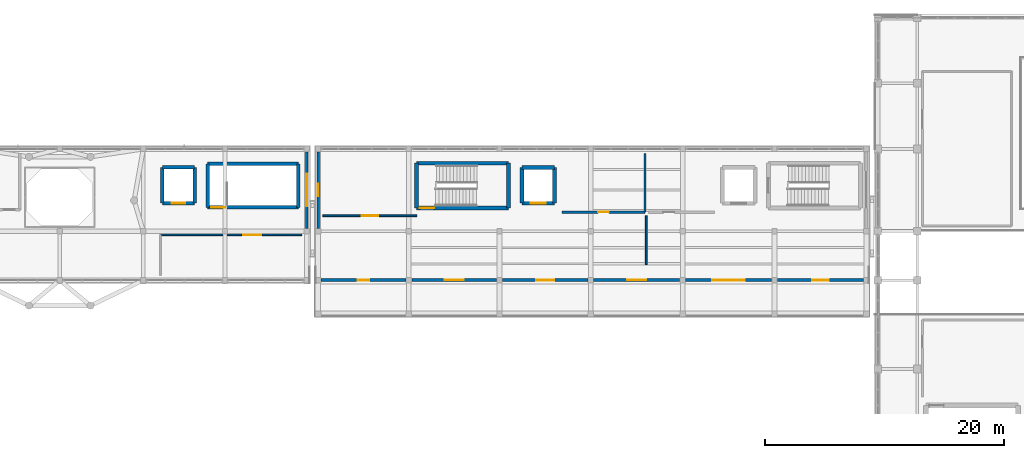
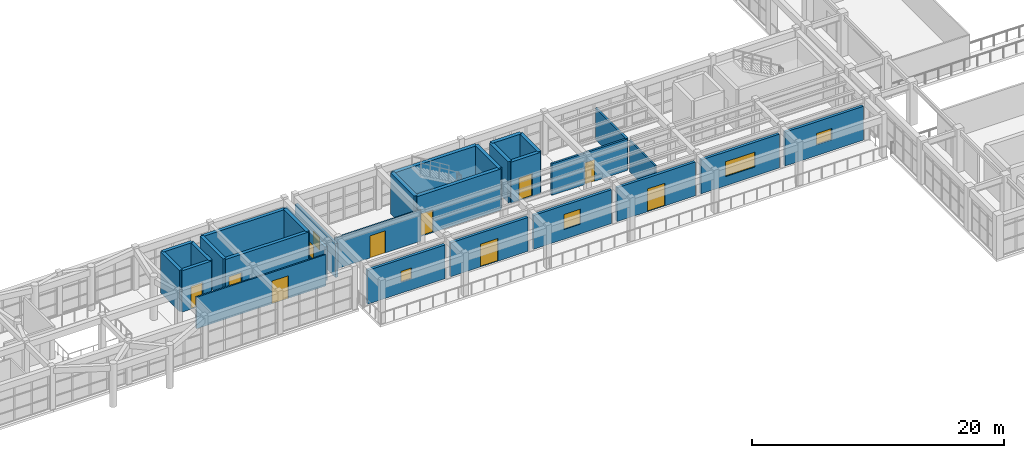
# One storey, part 54 of 66: 29 walls, 9 doors, 6 windows, 15 openings.
"""IFC4 building model written with IfcOpenShell, lengths in metres."""

from ifc_helpers import new_model, si_unit, direction, frame, frame_2d, origin, place, context, subcontext, project, spatial, rectangle, extrude, material, layer, layer_set, type_object, element, fill, save


model = new_model("IFC4")

# Units and contexts
model_context = context("Model", 3, precision=1e-05, world=origin(), true_north=direction((0.0, 1.0)))
body_context = subcontext(model_context, "Body", "Model", "MODEL_VIEW")
ifc_project = project(units=[si_unit("LENGTHUNIT", "METRE"), si_unit("AREAUNIT", "SQUARE_METRE"), si_unit("VOLUMEUNIT", "CUBIC_METRE"), si_unit("PLANEANGLEUNIT", "RADIAN"), si_unit("MASSUNIT", "GRAM", prefix="KILO")], contexts=[model_context])

# Site, building, storey
site_placement = place(None, origin())
site = spatial("IfcSite", under=ifc_project, at=site_placement, CompositionType="ELEMENT")
building_placement = place(site_placement, origin())
building = spatial("IfcBuilding", under=site, at=building_placement, Name="Candilejo Ridge Gondola Terminal", CompositionType="ELEMENT")
storey_placement = place(building_placement, frame((0.0, 0.0, 14.39990234375)))
storey = spatial("IfcBuildingStorey", under=building, at=storey_placement, Name="L03", CompositionType="ELEMENT", Elevation=14.39990234375)

# Wall, opening, window
ifc_material_1 = material(Name="Concrete C20/25 masonry blockwork (f'm 14 MPa)", Category="masonry")
ifc_layer_1 = layer(ifc_material_1, 0.219970703125)
ifc_layer_set_1 = layer_set([ifc_layer_1], Name="ARC-EXT-WALL-220")
wall_type_1 = type_object("IfcWallType", Name="ARC-EXT-WALL-220", PredefinedType="STANDARD", material=ifc_layer_set_1)
wall_1_placement = place(storey_placement, frame((87.0, 30.050048828125, 0.0), z_axis=(0.0, 0.0, 1.0), x_axis=(0.0, 1.0, 0.0)))
wall_1 = element("IfcWall", 1, at=wall_1_placement, inside=storey, type_object=wall_type_1, Name="Exterior facade wall EW-V3-L03-083", PredefinedType="STANDARD", context=body_context, shape_type="SweptSolid", body=[
    extrude(rectangle(XDim=6.39990234375, YDim=0.219970703125, at=frame_2d((3.199951171875, 0.0))), origin(), (0.0, 0.0, 1.0), 3.280029296875),
])
opening_1_placement = place(wall_1_placement, frame((2.675048828125, 0.0, 1.02001953125)))
opening_1 = element("IfcOpeningElement", 2, at=opening_1_placement, cuts=wall_1, Name="Opening WN-04C", PredefinedType="OPENING", context=body_context, shape_type="SweptSolid", body=[
    extrude(rectangle(XDim=1.050048828125, YDim=1.199951171875, at=frame_2d((0.52490234375, 0.60009765625))), frame((0.0, 0.119873046875, 0.0), z_axis=(0.0, -1.0, 0.0), x_axis=(1.0, 0.0, 0.0)), (0.0, 0.0, 1.0), 0.239990234375),
])
ifc_material_2 = material(Name="Low-E laminated double glazing 6+12A+6+1.52PVB+6 mm", Category="glass")
window_type_1 = type_object("IfcWindowType", Name="ARC-WIN-1050X1200", PartitioningType="SINGLE_PANEL", PredefinedType="WINDOW", material=ifc_material_2)
window_1_placement = place(opening_1_placement, origin())
window_1 = element("IfcWindow", 3, at=window_1_placement, inside=storey, type_object=window_type_1, Name="Window WIN-039", OverallHeight=1.199951171875, OverallWidth=1.050048828125, PartitioningType="SINGLE_PANEL", PredefinedType="WINDOW", context=body_context, shape_type="SweptSolid", body=[
    extrude(rectangle(XDim=1.050048828125, YDim=1.199951171875, at=frame_2d((0.52490234375, 0.60009765625))), frame((0.0, 0.030029296875, 0.0), z_axis=(0.0, -1.0, 0.0), x_axis=(1.0, 0.0, 0.0)), (0.0, 0.0, 1.0), 0.06005859375),
])
fill(opening_1, window_1)

ifc_material_3 = material(Name="Concrete C20/25 masonry blockwork (f'm 14 MPa)", Category="masonry")
ifc_layer_2 = layer(ifc_material_3, 0.235107421875)
ifc_layer_set_2 = layer_set([ifc_layer_2], Name="ARC-EXT-WALL-235")
wall_type_2 = type_object("IfcWallType", Name="ARC-EXT-WALL-235", PredefinedType="STANDARD", material=ifc_layer_set_2)
wall_2_placement = place(storey_placement, frame((86.050048828125, 36.449951171875, 0.0), z_axis=(0.0, 0.0, 1.0), x_axis=(0.0, -1.0, 0.0)))
wall_2 = element("IfcWall", 4, at=wall_2_placement, inside=storey, type_object=wall_type_2, Name="Exterior facade wall EW-V2-L03-049", PredefinedType="STANDARD", context=body_context, shape_type="SweptSolid", body=[
    extrude(rectangle(XDim=6.39990234375, YDim=0.235107421875, at=frame_2d((3.199951171875, 0.0))), origin(), (0.0, 0.0, 1.0), 3.280029296875),
])
opening_2_placement = place(wall_2_placement, frame((1.85009765625, 0.0, 0.8798828125)))
opening_2 = element("IfcOpeningElement", 5, at=opening_2_placement, cuts=wall_2, Name="Opening WN-05B", PredefinedType="OPENING", context=body_context, shape_type="SweptSolid", body=[
    extrude(rectangle(XDim=2.699951171875, YDim=1.449951171875, at=frame_2d((1.35009765625, 0.72509765625))), frame((0.0, 0.12744140625, 0.0), z_axis=(0.0, -1.0, 0.0), x_axis=(1.0, 0.0, 0.0)), (0.0, 0.0, 1.0), 0.255126953125),
])
ifc_material_4 = material(Name="Low-E laminated double glazing 6+12A+6+1.52PVB+6 mm", Category="glass")
window_type_2 = type_object("IfcWindowType", Name="ARC-WIN-2700X1550", PartitioningType="SINGLE_PANEL", PredefinedType="WINDOW", material=ifc_material_4)
window_2_placement = place(opening_2_placement, origin())
window_2 = element("IfcWindow", 6, at=window_2_placement, inside=storey, type_object=window_type_2, Name="Window WIN-022", OverallHeight=1.449951171875, OverallWidth=2.699951171875, PartitioningType="SINGLE_PANEL", PredefinedType="WINDOW", context=body_context, shape_type="SweptSolid", body=[
    extrude(rectangle(XDim=2.699951171875, YDim=1.449951171875, at=frame_2d((1.35009765625, 0.72509765625))), frame((0.0, 0.030029296875, 0.0), z_axis=(0.0, -1.0, 0.0), x_axis=(1.0, 0.0, 0.0)), (0.0, 0.0, 1.0), 0.06005859375),
])
fill(opening_2, window_2)

ifc_material_5 = material(Name="Cream Guayaquil limestone ashlar masonry (f'm 14 MPa)", Category="masonry")
ifc_layer_3 = layer(ifc_material_5, 0.25)
ifc_layer_set_3 = layer_set([ifc_layer_3], Name="ARC-EXT-WALL-250")
wall_type_3 = type_object("IfcWallType", Name="ARC-EXT-WALL-250", PredefinedType="STANDARD", material=ifc_layer_set_3)
wall_3_placement = place(storey_placement, frame((94.35009765625, 25.699951171875, 0.0), z_axis=(0.0, 0.0, 1.0), x_axis=(-1.0, 0.0, 0.0)))
wall_3 = element("IfcWall", 7, at=wall_3_placement, inside=storey, type_object=wall_type_3, Name="Exterior facade wall EW-V3-L03-053", PredefinedType="STANDARD", context=body_context, shape_type="SweptSolid", body=[
    extrude(rectangle(XDim=7.10009765625, YDim=0.25, at=frame_2d((3.550048828125, 0.0))), origin(), (0.0, 0.0, 1.0), 3.280029296875),
])
opening_3_placement = place(wall_3_placement, frame((3.074951171875, 0.0, 1.080078125)))
opening_3 = element("IfcOpeningElement", 8, at=opening_3_placement, cuts=wall_3, Name="Opening WN-05F", PredefinedType="OPENING", context=body_context, shape_type="SweptSolid", body=[
    extrude(rectangle(XDim=0.949951171875, YDim=1.050048828125, at=frame_2d((0.47509765625, 0.52490234375))), frame((0.0, 0.135009765625, 0.0), z_axis=(0.0, -1.0, 0.0), x_axis=(1.0, 0.0, 0.0)), (0.0, 0.0, 1.0), 0.27001953125),
])
ifc_material_6 = material(Name="Low-E laminated double glazing 6+12A+6+1.52PVB+6 mm", Category="glass")
window_type_3 = type_object("IfcWindowType", Name="ARC-WIN-0950X1050", PartitioningType="SINGLE_PANEL", PredefinedType="WINDOW", material=ifc_material_6)
window_3_placement = place(opening_3_placement, origin())
window_3 = element("IfcWindow", 9, at=window_3_placement, inside=storey, type_object=window_type_3, Name="Window WIN-024", OverallHeight=1.050048828125, OverallWidth=0.949951171875, PartitioningType="SINGLE_PANEL", PredefinedType="WINDOW", context=body_context, shape_type="SweptSolid", body=[
    extrude(rectangle(XDim=0.949951171875, YDim=1.050048828125, at=frame_2d((0.47509765625, 0.52490234375))), frame((0.0, 0.030029296875, 0.0), z_axis=(0.0, -1.0, 0.0), x_axis=(1.0, 0.0, 0.0)), (0.0, 0.0, 1.0), 0.06005859375),
])
fill(opening_3, window_3)

# Wall, opening, door
wall_4_placement = place(storey_placement, frame((101.949951171875, 25.699951171875, 0.0), z_axis=(0.0, 0.0, 1.0), x_axis=(-1.0, 0.0, 0.0)))
wall_4 = element("IfcWall", 10, at=wall_4_placement, inside=storey, type_object=wall_type_3, Name="Exterior facade wall EW-V3-L03-057", PredefinedType="STANDARD", context=body_context, shape_type="SweptSolid", body=[
    extrude(rectangle(XDim=7.099853515625, YDim=0.25, at=frame_2d((3.5498046875, 0.0))), origin(), (0.0, 0.0, 1.0), 3.280029296875),
])
opening_4_placement = place(wall_4_placement, frame((2.75, 0.0, 0.0)))
opening_4 = element("IfcOpeningElement", 11, at=opening_4_placement, cuts=wall_4, Name="Opening ED-04", PredefinedType="OPENING", context=body_context, shape_type="SweptSolid", body=[
    extrude(rectangle(XDim=1.60009765625, YDim=2.199951171875, at=frame_2d((0.800048828125, 1.10009765625))), frame((0.0, 0.135009765625, 0.0), z_axis=(0.0, -1.0, 0.0), x_axis=(1.0, 0.0, 0.0)), (0.0, 0.0, 1.0), 0.27001953125),
])
ifc_material_7 = material(Name="Anodised aluminium AA 6063-T6", Category="aluminium")
door_type_1 = type_object("IfcDoorType", Name="ARC-DOOR-TERR-1600", OperationType="NOTDEFINED", PredefinedType="DOOR", material=ifc_material_7)
door_1_placement = place(opening_4_placement, origin())
door_1 = element("IfcDoor", 12, at=door_1_placement, inside=storey, type_object=door_type_1, Name="Exterior door EDR-007", OperationType="DOUBLE_DOOR_SINGLE_SWING", OverallHeight=2.199951171875, OverallWidth=1.60009765625, PredefinedType="DOOR", context=body_context, shape_type="SweptSolid", body=[
    extrude(rectangle(XDim=1.60009765625, YDim=2.199951171875, at=frame_2d((0.800048828125, 1.10009765625))), frame((0.0, 0.02490234375, 0.0), z_axis=(0.0, -1.0, 0.0), x_axis=(1.0, 0.0, 0.0)), (0.0, 0.0, 1.0), 0.050048828125),
])
fill(opening_4, door_1)

# Wall, opening, window
wall_5_placement = place(storey_placement, frame((109.60009765625, 25.699951171875, 0.0), z_axis=(0.0, 0.0, 1.0), x_axis=(-1.0, 0.0, 0.0)))
wall_5 = element("IfcWall", 13, at=wall_5_placement, inside=storey, type_object=wall_type_3, Name="Exterior facade wall EW-V3-L03-060", PredefinedType="STANDARD", context=body_context, shape_type="SweptSolid", body=[
    extrude(rectangle(XDim=7.150146484375, YDim=0.25, at=frame_2d((3.5751953125, 0.0))), origin(), (0.0, 0.0, 1.0), 3.280029296875),
])
opening_5_placement = place(wall_5_placement, frame((2.824951171875, 0.0, 0.949951171875)))
opening_5 = element("IfcOpeningElement", 14, at=opening_5_placement, cuts=wall_5, Name="Opening WN-03", PredefinedType="OPENING", context=body_context, shape_type="SweptSolid", body=[
    extrude(rectangle(XDim=1.5, YDim=1.449951171875, at=frame_2d((0.75, 0.72509765625))), frame((0.0, 0.135009765625, 0.0), z_axis=(0.0, -1.0, 0.0), x_axis=(1.0, 0.0, 0.0)), (0.0, 0.0, 1.0), 0.27001953125),
])
ifc_material_8 = material(Name="Low-E laminated double glazing 6+12A+6+1.52PVB+6 mm", Category="glass")
window_type_4 = type_object("IfcWindowType", Name="ARC-WIN-1500X1450", PartitioningType="SINGLE_PANEL", PredefinedType="WINDOW", material=ifc_material_8)
window_4_placement = place(opening_5_placement, origin())
window_4 = element("IfcWindow", 15, at=window_4_placement, inside=storey, type_object=window_type_4, Name="Window WIN-027", OverallHeight=1.449951171875, OverallWidth=1.5, PartitioningType="SINGLE_PANEL", PredefinedType="WINDOW", context=body_context, shape_type="SweptSolid", body=[
    extrude(rectangle(XDim=1.5, YDim=1.449951171875, at=frame_2d((0.75, 0.72509765625))), frame((0.0, 0.030029296875, 0.0), z_axis=(0.0, -1.0, 0.0), x_axis=(1.0, 0.0, 0.0)), (0.0, 0.0, 1.0), 0.06005859375),
])
fill(opening_5, window_4)

# Wall, opening, door
wall_6_placement = place(storey_placement, frame((117.300048828125, 25.699951171875, 0.0), z_axis=(0.0, 0.0, 1.0), x_axis=(-1.0, 0.0, 0.0)))
wall_6 = element("IfcWall", 16, at=wall_6_placement, inside=storey, type_object=wall_type_3, Name="Exterior facade wall EW-V3-L03-063", PredefinedType="STANDARD", context=body_context, shape_type="SweptSolid", body=[
    extrude(rectangle(XDim=7.199951171875, YDim=0.25, at=frame_2d((3.60009765625, 0.0))), origin(), (0.0, 0.0, 1.0), 3.280029296875),
])
opening_6_placement = place(wall_6_placement, frame((2.800048828125, 0.0, 0.0)))
opening_6 = element("IfcOpeningElement", 17, at=opening_6_placement, cuts=wall_6, Name="Opening ED-04", PredefinedType="OPENING", context=body_context, shape_type="SweptSolid", body=[
    extrude(rectangle(XDim=1.60009765625, YDim=2.199951171875, at=frame_2d((0.800048828125, 1.10009765625))), frame((0.0, 0.135009765625, 0.0), z_axis=(0.0, -1.0, 0.0), x_axis=(1.0, 0.0, 0.0)), (0.0, 0.0, 1.0), 0.27001953125),
])
door_2_placement = place(opening_6_placement, origin())
door_2 = element("IfcDoor", 18, at=door_2_placement, inside=storey, type_object=door_type_1, Name="Exterior door EDR-011", OperationType="DOUBLE_DOOR_SINGLE_SWING", OverallHeight=2.199951171875, OverallWidth=1.60009765625, PredefinedType="DOOR", context=body_context, shape_type="SweptSolid", body=[
    extrude(rectangle(XDim=1.60009765625, YDim=2.199951171875, at=frame_2d((0.800048828125, 1.10009765625))), frame((0.0, 0.02490234375, 0.0), z_axis=(0.0, -1.0, 0.0), x_axis=(1.0, 0.0, 0.0)), (0.0, 0.0, 1.0), 0.050048828125),
])
fill(opening_6, door_2)

# Wall, opening, window
wall_7_placement = place(storey_placement, frame((125.0, 25.699951171875, 0.0), z_axis=(0.0, 0.0, 1.0), x_axis=(-1.0, 0.0, 0.0)))
wall_7 = element("IfcWall", 19, at=wall_7_placement, inside=storey, type_object=wall_type_3, Name="Exterior facade wall EW-V3-L03-067", PredefinedType="STANDARD", context=body_context, shape_type="SweptSolid", body=[
    extrude(rectangle(XDim=7.199951171875, YDim=0.25, at=frame_2d((3.60009765625, 0.0))), origin(), (0.0, 0.0, 1.0), 3.280029296875),
])
opening_7_placement = place(wall_7_placement, frame((2.25, 0.0, 0.8798828125)))
opening_7 = element("IfcOpeningElement", 20, at=opening_7_placement, cuts=wall_7, Name="Opening WN-05B", PredefinedType="OPENING", context=body_context, shape_type="SweptSolid", body=[
    extrude(rectangle(XDim=2.699951171875, YDim=1.449951171875, at=frame_2d((1.35009765625, 0.72509765625))), frame((0.0, 0.135009765625, 0.0), z_axis=(0.0, -1.0, 0.0), x_axis=(1.0, 0.0, 0.0)), (0.0, 0.0, 1.0), 0.27001953125),
])
window_5_placement = place(opening_7_placement, origin())
window_5 = element("IfcWindow", 21, at=window_5_placement, inside=storey, type_object=window_type_2, Name="Window WIN-031", OverallHeight=1.449951171875, OverallWidth=2.699951171875, PartitioningType="SINGLE_PANEL", PredefinedType="WINDOW", context=body_context, shape_type="SweptSolid", body=[
    extrude(rectangle(XDim=2.699951171875, YDim=1.449951171875, at=frame_2d((1.35009765625, 0.72509765625))), frame((0.0, 0.030029296875, 0.0), z_axis=(0.0, -1.0, 0.0), x_axis=(1.0, 0.0, 0.0)), (0.0, 0.0, 1.0), 0.06005859375),
])
fill(opening_7, window_5)

wall_8_placement = place(storey_placement, frame((132.699951171875, 25.699951171875, 0.0), z_axis=(0.0, 0.0, 1.0), x_axis=(-1.0, 0.0, 0.0)))
wall_8 = element("IfcWall", 22, at=wall_8_placement, inside=storey, type_object=wall_type_3, Name="Exterior facade wall EW-V3-L03-070", PredefinedType="STANDARD", context=body_context, shape_type="SweptSolid", body=[
    extrude(rectangle(XDim=7.199951171875, YDim=0.25, at=frame_2d((3.60009765625, 0.0))), origin(), (0.0, 0.0, 1.0), 3.280029296875),
])
opening_8_placement = place(wall_8_placement, frame((2.89990234375, 0.0, 1.050048828125)))
opening_8 = element("IfcOpeningElement", 23, at=opening_8_placement, cuts=wall_8, Name="Opening WN-05E", PredefinedType="OPENING", context=body_context, shape_type="SweptSolid", body=[
    extrude(rectangle(XDim=1.39990234375, YDim=1.10009765625, at=frame_2d((0.699951171875, 0.550048828125))), frame((0.0, 0.135009765625, 0.0), z_axis=(0.0, -1.0, 0.0), x_axis=(1.0, 0.0, 0.0)), (0.0, 0.0, 1.0), 0.27001953125),
])
ifc_material_9 = material(Name="Low-E laminated double glazing 6+12A+6+1.52PVB+6 mm", Category="glass")
window_type_5 = type_object("IfcWindowType", Name="ARC-WIN-1400X1100", PartitioningType="SINGLE_PANEL", PredefinedType="WINDOW", material=ifc_material_9)
window_6_placement = place(opening_8_placement, origin())
window_6 = element("IfcWindow", 24, at=window_6_placement, inside=storey, type_object=window_type_5, Name="Window WIN-032", OverallHeight=1.10009765625, OverallWidth=1.39990234375, PartitioningType="SINGLE_PANEL", PredefinedType="WINDOW", context=body_context, shape_type="SweptSolid", body=[
    extrude(rectangle(XDim=1.39990234375, YDim=1.10009765625, at=frame_2d((0.699951171875, 0.550048828125))), frame((0.0, 0.030029296875, 0.0), z_axis=(0.0, -1.0, 0.0), x_axis=(1.0, 0.0, 0.0)), (0.0, 0.0, 1.0), 0.06005859375),
])
fill(opening_8, window_6)

# Wall, opening, door
ifc_material_10 = material(Name="Gypsum board Type X acoustic partition (2x15.9 mm)", Category="gypsum")
ifc_layer_4 = layer(ifc_material_10, 0.135009765625)
ifc_layer_set_4 = layer_set([ifc_layer_4], Name="ARC-PART-GYP135")
wall_type_4 = type_object("IfcWallType", Name="ARC-PART-GYP135", PredefinedType="PARTITIONING", material=ifc_layer_set_4)
wall_9_placement = place(storey_placement, frame((73.800048828125, 29.5, 0.0), z_axis=(0.0, 0.0, 1.0), x_axis=(1.0, 0.0, 0.0)))
wall_9 = element("IfcWall", 25, at=wall_9_placement, inside=storey, type_object=wall_type_4, Name="Interior partition PT-V2-L03-0102", PredefinedType="PARTITIONING", context=body_context, shape_type="SweptSolid", body=[
    extrude(rectangle(XDim=11.849853515625, YDim=0.135009765625, at=frame_2d((5.9248046875, 0.0))), origin(), (0.0, 0.0, 1.0), 3.050048828125),
])
opening_9_placement = place(wall_9_placement, frame((6.925048828125, 0.0, 0.0)))
opening_9 = element("IfcOpeningElement", 26, at=opening_9_placement, cuts=wall_9, Name="Opening ID-03B", PredefinedType="OPENING", context=body_context, shape_type="SweptSolid", body=[
    extrude(rectangle(XDim=1.5, YDim=2.199951171875, at=frame_2d((0.75, 1.10009765625))), frame((0.0, 0.077392578125, 0.0), z_axis=(0.0, -1.0, 0.0), x_axis=(1.0, 0.0, 0.0)), (0.0, 0.0, 1.0), 0.155029296875),
])
ifc_material_11 = material(Name="Solid-core fire-rated hardwood door leaf", Category="wood")
door_type_2 = type_object("IfcDoorType", Name="ARC-DOOR-DBL-1500", OperationType="NOTDEFINED", PredefinedType="DOOR", material=ifc_material_11)
door_3_placement = place(opening_9_placement, origin())
door_3 = element("IfcDoor", 27, at=door_3_placement, inside=storey, type_object=door_type_2, Name="Interior door IDR-0057 (302)", OperationType="DOUBLE_DOOR_SINGLE_SWING", OverallHeight=2.199951171875, OverallWidth=1.5, PredefinedType="DOOR", context=body_context, shape_type="SweptSolid", body=[
    extrude(rectangle(XDim=1.5, YDim=2.199951171875, at=frame_2d((0.75, 1.10009765625))), frame((0.0, 0.02490234375, 0.0), z_axis=(0.0, -1.0, 0.0), x_axis=(1.0, 0.0, 0.0)), (0.0, 0.0, 1.0), 0.050048828125),
])
fill(opening_9, door_3)

wall_10_placement = place(storey_placement, frame((87.39990234375, 31.10009765625, 0.0), z_axis=(0.0, 0.0, 1.0), x_axis=(1.0, 0.0, 0.0)))
wall_10 = element("IfcWall", 28, at=wall_10_placement, inside=storey, type_object=wall_type_4, Name="Interior partition PT-V3-L03-0106", PredefinedType="PARTITIONING", context=body_context, shape_type="SweptSolid", body=[
    extrude(rectangle(XDim=7.880126953125, YDim=0.135009765625, at=frame_2d((3.93994140625, 0.0))), origin(), (0.0, 0.0, 1.0), 3.050048828125),
])
opening_10_placement = place(wall_10_placement, frame((3.239990234375, 0.0, 0.0)))
opening_10 = element("IfcOpeningElement", 29, at=opening_10_placement, cuts=wall_10, Name="Opening ID-03C", PredefinedType="OPENING", context=body_context, shape_type="SweptSolid", body=[
    extrude(rectangle(XDim=1.39990234375, YDim=2.14990234375, at=frame_2d((0.699951171875, 1.074951171875))), frame((0.0, 0.077392578125, 0.0), z_axis=(0.0, -1.0, 0.0), x_axis=(1.0, 0.0, 0.0)), (0.0, 0.0, 1.0), 0.155029296875),
])
ifc_material_12 = material(Name="Solid-core fire-rated hardwood door leaf", Category="wood")
door_type_3 = type_object("IfcDoorType", Name="ARC-DOOR-DBL-1400", OperationType="NOTDEFINED", PredefinedType="DOOR", material=ifc_material_12)
door_4_placement = place(opening_10_placement, origin())
door_4 = element("IfcDoor", 30, at=door_4_placement, inside=storey, type_object=door_type_3, Name="Interior door IDR-0059 (306)", OperationType="DOUBLE_DOOR_SINGLE_SWING", OverallHeight=2.14990234375, OverallWidth=1.39990234375, PredefinedType="DOOR", context=body_context, shape_type="SweptSolid", body=[
    extrude(rectangle(XDim=1.39990234375, YDim=2.14990234375, at=frame_2d((0.699951171875, 1.074951171875))), frame((0.0, 0.02490234375, 0.0), z_axis=(0.0, -1.0, 0.0), x_axis=(1.0, 0.0, 0.0)), (0.0, 0.0, 1.0), 0.050048828125),
])
fill(opening_10, door_4)

# Wall
wall_11_placement = place(storey_placement, frame((114.5, 27.0, 0.0), z_axis=(0.0, 0.0, 1.0), x_axis=(0.0, 1.0, 0.0)))
element("IfcWall", 31, at=wall_11_placement, inside=storey, type_object=wall_type_4, Name="Interior partition PT-V3-L03-0107", PredefinedType="PARTITIONING", context=body_context, shape_type="SweptSolid", body=[
    extrude(rectangle(XDim=4.10009765625, YDim=0.135009765625, at=frame_2d((2.050048828125, 0.0))), origin(), (0.0, 0.0, 1.0), 3.050048828125),
])

# Wall, opening, door
ifc_material_13 = material(Name="Concrete C20/25 masonry blockwork (f'm 14 MPa)", Category="masonry")
ifc_layer_5 = layer(ifc_material_13, 0.179931640625)
ifc_layer_set_5 = layer_set([ifc_layer_5], Name="ARC-WALL-PLUMBING-180")
wall_type_5 = type_object("IfcWallType", Name="ARC-WALL-PLUMBING-180", PredefinedType="PLUMBINGWALL", material=ifc_layer_set_5)
wall_12_placement = place(storey_placement, frame((107.449951171875, 31.39990234375, 0.0), z_axis=(0.0, 0.0, 1.0), x_axis=(1.0, 0.0, 0.0)))
wall_12 = element("IfcWall", 32, at=wall_12_placement, inside=storey, type_object=wall_type_5, Name="Interior partition PT-V3-L03-0108", PredefinedType="PLUMBINGWALL", context=body_context, shape_type="SweptSolid", body=[
    extrude(rectangle(XDim=6.949951171875, YDim=0.179931640625, at=frame_2d((3.47509765625, 0.0))), origin(), (0.0, 0.0, 1.0), 3.050048828125),
])
opening_11_placement = place(wall_12_placement, frame((3.02490234375, 0.0, 0.0)))
opening_11 = element("IfcOpeningElement", 33, at=opening_11_placement, cuts=wall_12, Name="Opening ID-04", PredefinedType="OPENING", context=body_context, shape_type="SweptSolid", body=[
    extrude(rectangle(XDim=0.89990234375, YDim=2.10009765625, at=frame_2d((0.449951171875, 1.050048828125))), frame((0.0, 0.099853515625, 0.0), z_axis=(0.0, -1.0, 0.0), x_axis=(1.0, 0.0, 0.0)), (0.0, 0.0, 1.0), 0.199951171875),
])
ifc_material_14 = material(Name="Solid-core fire-rated hardwood door leaf", Category="wood")
door_type_4 = type_object("IfcDoorType", Name="ARC-DOOR-WC-0900", OperationType="NOTDEFINED", PredefinedType="DOOR", material=ifc_material_14)
door_5_placement = place(opening_11_placement, origin())
door_5 = element("IfcDoor", 34, at=door_5_placement, inside=storey, type_object=door_type_4, Name="Interior door IDR-0060 (308)", OperationType="SINGLE_SWING_RIGHT", OverallHeight=2.10009765625, OverallWidth=0.89990234375, PredefinedType="DOOR", context=body_context, shape_type="SweptSolid", body=[
    extrude(rectangle(XDim=0.89990234375, YDim=2.10009765625, at=frame_2d((0.449951171875, 1.050048828125))), frame((0.0, 0.02490234375, 0.0), z_axis=(0.0, -1.0, 0.0), x_axis=(1.0, 0.0, 0.0)), (0.0, 0.0, 1.0), 0.050048828125),
])
fill(opening_11, door_5)

# Wall
wall_13_placement = place(storey_placement, frame((114.39990234375, 31.39990234375, 0.0), z_axis=(0.0, 0.0, 1.0), x_axis=(0.0, 1.0, 0.0)))
element("IfcWall", 35, at=wall_13_placement, inside=storey, type_object=wall_type_5, Name="Interior partition PT-V3-L03-0109", PredefinedType="PLUMBINGWALL", context=body_context, shape_type="SweptSolid", body=[
    extrude(rectangle(XDim=4.900146484375, YDim=0.179931640625, at=frame_2d((2.4501953125, 0.0))), origin(), (0.0, 0.0, 1.0), 3.050048828125),
])

# Wall, opening, door
ifc_material_15 = material(Name="Concrete f'c 35 MPa (C35/45)", Category="concrete")
ifc_layer_6 = layer(ifc_material_15, 0.300048828125)
ifc_layer_set_6 = layer_set([ifc_layer_6], Name="STR-CORE-WALL-300")
wall_type_6 = type_object("IfcWallType", Name="STR-CORE-WALL-300", PredefinedType="SHEAR", material=ifc_layer_set_6)
wall_14_placement = place(storey_placement, frame((77.75, 31.800048828125, 0.0), z_axis=(0.0, 0.0, 1.0), x_axis=(1.0, 0.0, 0.0)))
wall_14 = element("IfcWall", 36, at=wall_14_placement, inside=storey, type_object=wall_type_6, Name="Core stair shear wall SW-C-V2B-L03-ST-S", PredefinedType="SHEAR", context=body_context, shape_type="SweptSolid", body=[
    extrude(rectangle(XDim=7.60009765625, YDim=0.300048828125, at=frame_2d((3.800048828125, 0.0))), origin(), (0.0, 0.0, 1.0), 3.989990234375),
])
opening_12_placement = place(wall_14_placement, frame((0.280029296875, 0.0, 0.0)))
opening_12 = element("IfcOpeningElement", 37, at=opening_12_placement, cuts=wall_14, Name="Opening FD-01", PredefinedType="OPENING", context=body_context, shape_type="SweptSolid", body=[
    extrude(rectangle(XDim=1.199951171875, YDim=2.199951171875, at=frame_2d((0.60009765625, 1.10009765625))), frame((0.0, 0.159912109375, 0.0), z_axis=(0.0, -1.0, 0.0), x_axis=(1.0, 0.0, 0.0)), (0.0, 0.0, 1.0), 0.320068359375),
])
ifc_material_16 = material(Name="Steel ASTM A653 Grade 33 hollow-metal door", Category="steel")
door_type_5 = type_object("IfcDoorType", Name="ARC-DOOR-FD90-1200", OperationType="NOTDEFINED", PredefinedType="DOOR", material=ifc_material_16)
door_6_placement = place(opening_12_placement, origin())
door_6 = element("IfcDoor", 38, at=door_6_placement, inside=storey, type_object=door_type_5, Name="Fire stair door SDR-014", OperationType="SINGLE_SWING_RIGHT", OverallHeight=2.199951171875, OverallWidth=1.199951171875, PredefinedType="DOOR", context=body_context, shape_type="SweptSolid", body=[
    extrude(rectangle(XDim=1.199951171875, YDim=2.199951171875, at=frame_2d((0.60009765625, 1.10009765625))), frame((0.0, 0.02490234375, 0.0), z_axis=(0.0, -1.0, 0.0), x_axis=(1.0, 0.0, 0.0)), (0.0, 0.0, 1.0), 0.050048828125),
])
fill(opening_12, door_6)

# Walls
wall_15_placement = place(storey_placement, frame((85.35009765625, 35.449951171875, 0.0), z_axis=(0.0, 0.0, 1.0), x_axis=(-1.0, 0.0, 0.0)))
element("IfcWall", 39, at=wall_15_placement, inside=storey, type_object=wall_type_6, Name="Core stair shear wall SW-C-V2B-L03-ST-N", PredefinedType="SHEAR", context=body_context, shape_type="SweptSolid", body=[
    extrude(rectangle(XDim=7.60009765625, YDim=0.300048828125, at=frame_2d((3.800048828125, 0.0))), origin(), (0.0, 0.0, 1.0), 3.989990234375),
])
for number, where, z_axis, x_axis, name in (
    (40, (77.75, 35.449951171875, 0.0), (0.0, 0.0, 1.0), (0.0, -1.0, 0.0), "Core stair shear wall SW-C-V2B-L03-ST-W"),
    (41, (85.35009765625, 31.800048828125, 0.0), (0.0, 0.0, 1.0), (0.0, 1.0, 0.0), "Core stair shear wall SW-C-V2B-L03-ST-E"),
):
    element("IfcWall", number, at=place(storey_placement, frame(where, z_axis=z_axis, x_axis=x_axis)), inside=storey, type_object=wall_type_6, Name=name, PredefinedType="SHEAR", context=body_context, shape_type="SweptSolid", body=[
        extrude(rectangle(XDim=3.64990234375, YDim=0.300048828125, at=frame_2d((1.824951171875, 0.0))), origin(), (0.0, 0.0, 1.0), 3.989990234375),
    ])

# Wall, opening, door
wall_16_placement = place(storey_placement, frame((73.949951171875, 32.14990234375, 0.0), z_axis=(0.0, 0.0, 1.0), x_axis=(1.0, 0.0, 0.0)))
wall_16 = element("IfcWall", 42, at=wall_16_placement, inside=storey, type_object=wall_type_6, Name="Lift shaft shear wall SW-C-V2B-L03-LF-S", PredefinedType="SHEAR", context=body_context, shape_type="SweptSolid", body=[
    extrude(rectangle(XDim=2.699951171875, YDim=0.300048828125, at=frame_2d((1.35009765625, 0.0))), origin(), (0.0, 0.0, 1.0), 4.005126953125),
])
opening_13_placement = place(wall_16_placement, frame((0.800048828125, 0.0, 0.0)))
opening_13 = element("IfcOpeningElement", 43, at=opening_13_placement, cuts=wall_16, Name="Opening LD-01", PredefinedType="OPENING", context=body_context, shape_type="SweptSolid", body=[
    extrude(rectangle(XDim=1.10009765625, YDim=2.199951171875, at=frame_2d((0.550048828125, 1.10009765625))), frame((0.0, 0.159912109375, 0.0), z_axis=(0.0, -1.0, 0.0), x_axis=(1.0, 0.0, 0.0)), (0.0, 0.0, 1.0), 0.320068359375),
])
ifc_material_17 = material(Name="Brushed stainless steel AISI 316", Category="steel")
door_type_6 = type_object("IfcDoorType", Name="ARC-LIFT-DOOR-1100", OperationType="NOTDEFINED", PredefinedType="DOOR", material=ifc_material_17)
door_7_placement = place(opening_13_placement, origin())
door_7 = element("IfcDoor", 44, at=door_7_placement, inside=storey, type_object=door_type_6, Name="Elevator landing door LDR-014", OperationType="SLIDING_TO_LEFT", OverallHeight=2.199951171875, OverallWidth=1.10009765625, PredefinedType="DOOR", context=body_context, shape_type="SweptSolid", body=[
    extrude(rectangle(XDim=1.10009765625, YDim=2.199951171875, at=frame_2d((0.550048828125, 1.10009765625))), frame((0.0, 0.02490234375, 0.0), z_axis=(0.0, -1.0, 0.0), x_axis=(1.0, 0.0, 0.0)), (0.0, 0.0, 1.0), 0.050048828125),
])
fill(opening_13, door_7)

# Walls
wall_17_placement = place(storey_placement, frame((73.949951171875, 35.14990234375, 0.0), z_axis=(0.0, 0.0, 1.0), x_axis=(1.0, 0.0, 0.0)))
element("IfcWall", 45, at=wall_17_placement, inside=storey, type_object=wall_type_6, Name="Lift shaft shear wall SW-C-V2B-L03-LF-N", PredefinedType="SHEAR", context=body_context, shape_type="SweptSolid", body=[
    extrude(rectangle(XDim=2.699951171875, YDim=0.300048828125, at=frame_2d((1.35009765625, 0.0))), origin(), (0.0, 0.0, 1.0), 4.005126953125),
])
for number, where, z_axis, x_axis, name in (
    (46, (73.949951171875, 32.14990234375, 0.0), (0.0, 0.0, 1.0), (0.0, 1.0, 0.0), "Lift shaft shear wall SW-C-V2B-L03-LF-W"),
    (47, (76.64990234375, 32.14990234375, 0.0), (0.0, 0.0, 1.0), (0.0, 1.0, 0.0), "Lift shaft shear wall SW-C-V2B-L03-LF-E"),
):
    element("IfcWall", number, at=place(storey_placement, frame(where, z_axis=z_axis, x_axis=x_axis)), inside=storey, type_object=wall_type_6, Name=name, PredefinedType="SHEAR", context=body_context, shape_type="SweptSolid", body=[
        extrude(rectangle(XDim=3.0, YDim=0.300048828125, at=frame_2d((1.5, 0.0))), origin(), (0.0, 0.0, 1.0), 4.005126953125),
    ])

# Wall, opening, door
ifc_material_18 = material(Name="Concrete f'c 35 MPa (C35/45)", Category="concrete")
ifc_layer_7 = layer(ifc_material_18, 0.324951171875)
ifc_layer_set_7 = layer_set([ifc_layer_7], Name="STR-CORE-WALL-325")
wall_type_7 = type_object("IfcWallType", Name="STR-CORE-WALL-325", PredefinedType="SHEAR", material=ifc_layer_set_7)
wall_18_placement = place(storey_placement, frame((95.25, 31.75, 0.0), z_axis=(0.0, 0.0, 1.0), x_axis=(1.0, 0.0, 0.0)))
wall_18 = element("IfcWall", 48, at=wall_18_placement, inside=storey, type_object=wall_type_7, Name="Core stair shear wall SW-C-V3A-L03-ST-S", PredefinedType="SHEAR", context=body_context, shape_type="SweptSolid", body=[
    extrude(rectangle(XDim=7.699951171875, YDim=0.324951171875, at=frame_2d((3.85009765625, 0.0))), origin(), (0.0, 0.0, 1.0), 3.989990234375),
])
opening_14_placement = place(wall_18_placement, frame((0.280029296875, 0.0, 0.0)))
opening_14 = element("IfcOpeningElement", 49, at=opening_14_placement, cuts=wall_18, Name="Opening FD-01", PredefinedType="OPENING", context=body_context, shape_type="SweptSolid", body=[
    extrude(rectangle(XDim=1.199951171875, YDim=2.199951171875, at=frame_2d((0.60009765625, 1.10009765625))), frame((0.0, 0.17236328125, 0.0), z_axis=(0.0, -1.0, 0.0), x_axis=(1.0, 0.0, 0.0)), (0.0, 0.0, 1.0), 0.344970703125),
])
door_8_placement = place(opening_14_placement, origin())
door_8 = element("IfcDoor", 50, at=door_8_placement, inside=storey, type_object=door_type_5, Name="Fire stair door SDR-018", OperationType="SINGLE_SWING_RIGHT", OverallHeight=2.199951171875, OverallWidth=1.199951171875, PredefinedType="DOOR", context=body_context, shape_type="SweptSolid", body=[
    extrude(rectangle(XDim=1.199951171875, YDim=2.199951171875, at=frame_2d((0.60009765625, 1.10009765625))), frame((0.0, 0.02490234375, 0.0), z_axis=(0.0, -1.0, 0.0), x_axis=(1.0, 0.0, 0.0)), (0.0, 0.0, 1.0), 0.050048828125),
])
fill(opening_14, door_8)

# Walls
wall_19_placement = place(storey_placement, frame((102.949951171875, 35.5, 0.0), z_axis=(0.0, 0.0, 1.0), x_axis=(-1.0, 0.0, 0.0)))
element("IfcWall", 51, at=wall_19_placement, inside=storey, type_object=wall_type_7, Name="Core stair shear wall SW-C-V3A-L03-ST-N", PredefinedType="SHEAR", context=body_context, shape_type="SweptSolid", body=[
    extrude(rectangle(XDim=7.699951171875, YDim=0.324951171875, at=frame_2d((3.85009765625, 0.0))), origin(), (0.0, 0.0, 1.0), 3.989990234375),
])
for number, where, z_axis, x_axis, name in (
    (52, (95.25, 35.5, 0.0), (0.0, 0.0, 1.0), (0.0, -1.0, 0.0), "Core stair shear wall SW-C-V3A-L03-ST-W"),
    (53, (102.949951171875, 31.75, 0.0), (0.0, 0.0, 1.0), (0.0, 1.0, 0.0), "Core stair shear wall SW-C-V3A-L03-ST-E"),
):
    element("IfcWall", number, at=place(storey_placement, frame(where, z_axis=z_axis, x_axis=x_axis)), inside=storey, type_object=wall_type_7, Name=name, PredefinedType="SHEAR", context=body_context, shape_type="SweptSolid", body=[
        extrude(rectangle(XDim=3.75, YDim=0.324951171875, at=frame_2d((1.875, 0.0))), origin(), (0.0, 0.0, 1.0), 3.989990234375),
    ])

# Wall, opening, door
wall_20_placement = place(storey_placement, frame((104.10009765625, 32.14990234375, 0.0), z_axis=(0.0, 0.0, 1.0), x_axis=(1.0, 0.0, 0.0)))
wall_20 = element("IfcWall", 54, at=wall_20_placement, inside=storey, type_object=wall_type_7, Name="Lift shaft shear wall SW-C-V3A-L03-LF-S", PredefinedType="SHEAR", context=body_context, shape_type="SweptSolid", body=[
    extrude(rectangle(XDim=2.699951171875, YDim=0.324951171875, at=frame_2d((1.35009765625, 0.0))), origin(), (0.0, 0.0, 1.0), 3.989990234375),
])
opening_15_placement = place(wall_20_placement, frame((0.72509765625, 0.0, 0.0)))
opening_15 = element("IfcOpeningElement", 55, at=opening_15_placement, cuts=wall_20, Name="Opening LD-01B", PredefinedType="OPENING", context=body_context, shape_type="SweptSolid", body=[
    extrude(rectangle(XDim=1.25, YDim=2.199951171875, at=frame_2d((0.625, 1.10009765625))), frame((0.0, 0.17236328125, 0.0), z_axis=(0.0, -1.0, 0.0), x_axis=(1.0, 0.0, 0.0)), (0.0, 0.0, 1.0), 0.344970703125),
])
ifc_material_19 = material(Name="Brushed stainless steel AISI 316", Category="steel")
door_type_7 = type_object("IfcDoorType", Name="ARC-LIFT-DOOR-1250", OperationType="NOTDEFINED", PredefinedType="DOOR", material=ifc_material_19)
door_9_placement = place(opening_15_placement, origin())
door_9 = element("IfcDoor", 56, at=door_9_placement, inside=storey, type_object=door_type_7, Name="Elevator landing door LDR-018", OperationType="SLIDING_TO_LEFT", OverallHeight=2.199951171875, OverallWidth=1.25, PredefinedType="DOOR", context=body_context, shape_type="SweptSolid", body=[
    extrude(rectangle(XDim=1.25, YDim=2.199951171875, at=frame_2d((0.625, 1.10009765625))), frame((0.0, 0.02490234375, 0.0), z_axis=(0.0, -1.0, 0.0), x_axis=(1.0, 0.0, 0.0)), (0.0, 0.0, 1.0), 0.050048828125),
])
fill(opening_15, door_9)

# Walls
wall_21_placement = place(storey_placement, frame((104.10009765625, 35.14990234375, 0.0), z_axis=(0.0, 0.0, 1.0), x_axis=(1.0, 0.0, 0.0)))
element("IfcWall", 57, at=wall_21_placement, inside=storey, type_object=wall_type_7, Name="Lift shaft shear wall SW-C-V3A-L03-LF-N", PredefinedType="SHEAR", context=body_context, shape_type="SweptSolid", body=[
    extrude(rectangle(XDim=2.699951171875, YDim=0.324951171875, at=frame_2d((1.35009765625, 0.0))), origin(), (0.0, 0.0, 1.0), 3.989990234375),
])
for number, where, z_axis, x_axis, name in (
    (58, (104.10009765625, 32.14990234375, 0.0), (0.0, 0.0, 1.0), (0.0, 1.0, 0.0), "Lift shaft shear wall SW-C-V3A-L03-LF-W"),
    (59, (106.800048828125, 32.14990234375, 0.0), (0.0, 0.0, 1.0), (0.0, 1.0, 0.0), "Lift shaft shear wall SW-C-V3A-L03-LF-E"),
):
    element("IfcWall", number, at=place(storey_placement, frame(where, z_axis=z_axis, x_axis=x_axis)), inside=storey, type_object=wall_type_7, Name=name, PredefinedType="SHEAR", context=body_context, shape_type="SweptSolid", body=[
        extrude(rectangle(XDim=3.0, YDim=0.324951171875, at=frame_2d((1.5, 0.0))), origin(), (0.0, 0.0, 1.0), 3.989990234375),
    ])

save(model, "model.ifc")
